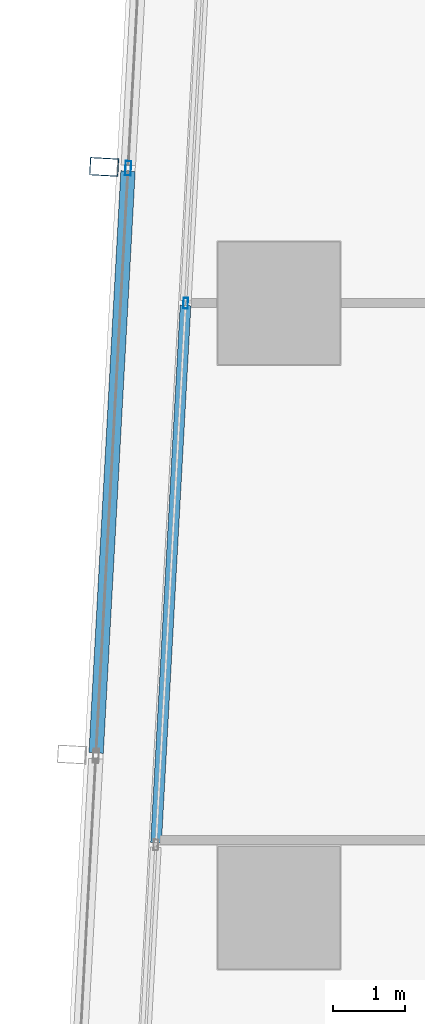
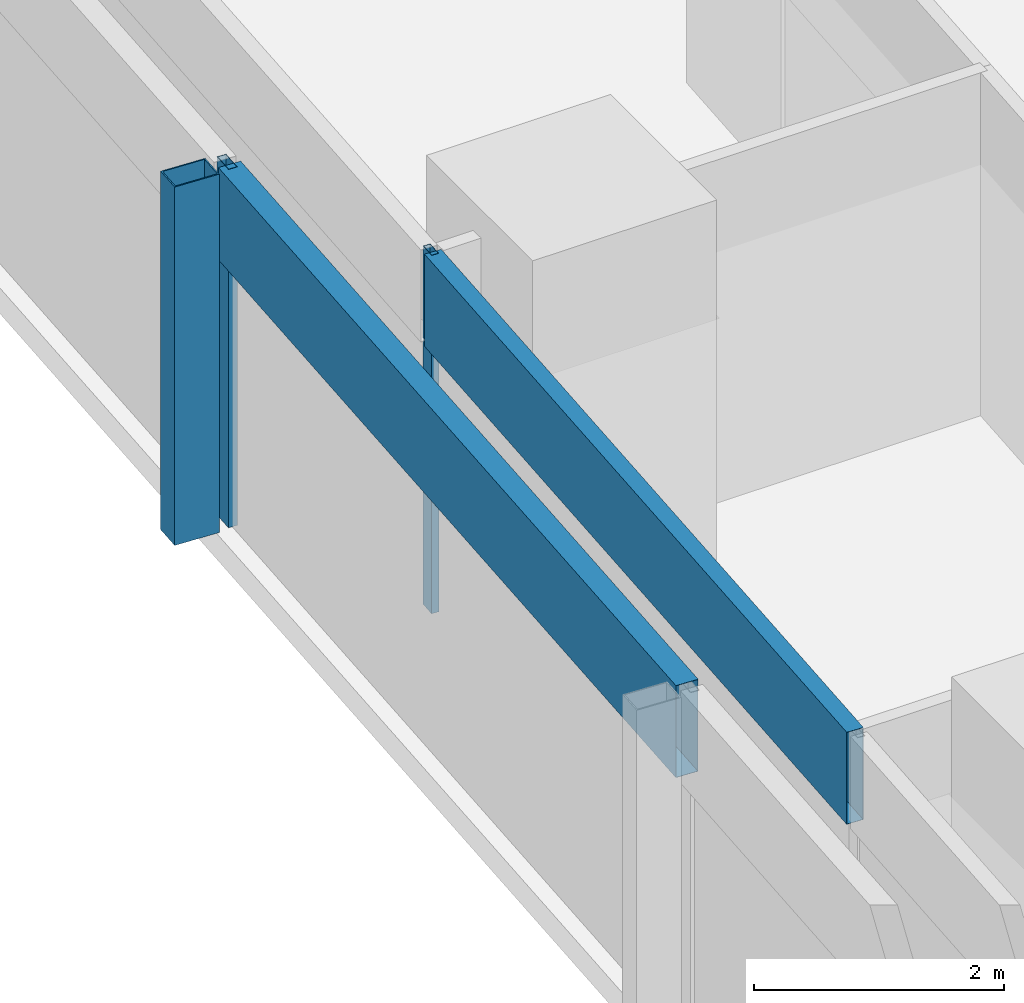
# One storey, part 14 of 40: 5 members, 2 elements without a shape of their own.
"""IFC4 building model written with IfcOpenShell, lengths in metres."""

import ifcopenshell
import ifcopenshell.guid

model = None  # the IFC model being written
_history = None  # IfcOwnerHistory: only IFC2X3 demands one
_inside = {}  # id of a spatial element -> (the spatial element, [elements in it])
_under = {}  # id of a project, library or spatial element -> (it, [spatial elements below it])
_declared = {}  # id of a project -> (the project, [libraries it declares])
_typed = {}  # id of a type object -> (the type object, [elements of that type])
_made_of = {}  # id of a material, layer set ... -> (it, [elements and type objects made of it])


def new_model(schema):
    """Start an empty IFC model of exactly this schema.

    Asked for "IFC4X3", IfcOpenShell would pick the latest addendum, in which some entities
    have other attributes; the version numbers below select the first issue.
    IFC2X3 requires an IfcOwnerHistory on every rooted entity: one is made here for all.
    """
    global model, _history
    if schema == "IFC4X3":
        model = ifcopenshell.file(schema_version=(4, 3, 0, 0))
    else:
        model = ifcopenshell.file(schema=schema)
    _inside.clear()
    _under.clear()
    _declared.clear()
    _typed.clear()
    _made_of.clear()
    _history = None
    if model.schema == "IFC2X3":
        org = make("IfcOrganization", Name="unknown")
        user = make(
            "IfcPersonAndOrganization",
            ThePerson=make("IfcPerson", FamilyName="unknown"),
            TheOrganization=org,
        )
        app = make(
            "IfcApplication",
            ApplicationDeveloper=org,
            Version="unknown",
            ApplicationFullName="unknown",
            ApplicationIdentifier="unknown",
        )
        _history = make(
            "IfcOwnerHistory",
            OwningUser=user,
            OwningApplication=app,
            ChangeAction="ADDED",
            CreationDate=0,
        )
    return model


def make(cls, **values):
    """One entity of the class cls with the attributes given. An attribute that is None is left unset."""
    return model.create_entity(
        cls, **{name: value for name, value in values.items() if value is not None}
    )


def rooted(cls, **values):
    """An entity with a GlobalId (a new one), such as an element, a storey or a relation."""
    return make(cls, GlobalId=ifcopenshell.guid.new(), OwnerHistory=_history, **values)


def si_unit(unit_type, name, prefix=None):
    """IfcSIUnit, for example si_unit("LENGTHUNIT", "METRE", prefix="MILLI")."""
    return make("IfcSIUnit", UnitType=unit_type, Prefix=prefix, Name=name)


def assignment(units):
    """IfcUnitAssignment: the units of a project."""
    return None if units is None else make("IfcUnitAssignment", Units=units)


def point(xyz):
    """IfcCartesianPoint."""
    return None if xyz is None else make("IfcCartesianPoint", Coordinates=xyz)


def direction(xyz):
    """IfcDirection."""
    return None if xyz is None else make("IfcDirection", DirectionRatios=xyz)


def frame(location, z_axis=None, x_axis=None):
    """IfcAxis2Placement3D, a coordinate frame: its origin and axes. An axis left out is left unset."""
    return make(
        "IfcAxis2Placement3D",
        Location=point(location),
        Axis=direction(z_axis),
        RefDirection=direction(x_axis),
    )


def frame_2d(location, x_axis=None):
    """IfcAxis2Placement2D, a coordinate frame in the plane: its origin and x axis."""
    return make(
        "IfcAxis2Placement2D", Location=point(location), RefDirection=direction(x_axis)
    )


def origin():
    """The frame at (0, 0, 0) with its axes left unset."""
    return frame((0.0, 0.0, 0.0))


def origin_2d():
    """The frame at (0, 0) in the plane with its x axis left unset."""
    return frame_2d((0.0, 0.0))


def place(relative_to, where):
    """IfcLocalPlacement: puts the frame where relative to a parent placement (None: the world)."""
    return make(
        "IfcLocalPlacement", PlacementRelTo=relative_to, RelativePlacement=where
    )


def context(
    kind, dimensions, precision=None, world=None, true_north=None, identifier=None
):
    """IfcGeometricRepresentationContext, for example the 3D "Model" context."""
    return make(
        "IfcGeometricRepresentationContext",
        ContextIdentifier=identifier,
        ContextType=kind,
        CoordinateSpaceDimension=dimensions,
        Precision=precision,
        WorldCoordinateSystem=world,
        TrueNorth=true_north,
    )


def subcontext(parent, identifier, kind, view, scale=None):
    """IfcGeometricRepresentationSubContext, for example "Body" below "Model"."""
    return make(
        "IfcGeometricRepresentationSubContext",
        ContextIdentifier=identifier,
        ContextType=kind,
        ParentContext=parent,
        TargetScale=scale,
        TargetView=view,
    )


def project(units=None, contexts=None):
    """IfcProject with its units and contexts."""
    return rooted(
        "IfcProject",
        Name="project",
        RepresentationContexts=contexts,
        UnitsInContext=assignment(units),
    )


def spatial(cls, under=None, at=None, **own):
    """A site, building, storey or space (cls), placed at a placement, below another one or the project."""
    s = rooted(cls, ObjectPlacement=at, **own)
    if under is not None:
        _under.setdefault(under.id(), (under, []))[1].append(s)
    return s


def profile(cls, at=None, kind="AREA", **sizes):
    """A parametric profile (cls). Its sizes go by their IFC names, for example OverallWidth=200.0."""
    return make(cls, ProfileType=kind, Position=at, **sizes)


def hollow_rectangle(**sizes):
    """IfcRectangleHollowProfileDef."""
    return profile("IfcRectangleHollowProfileDef", **sizes)


def extrude(swept, where, along, depth):
    """IfcExtrudedAreaSolid: the profile swept, set in the frame where, extruded along a direction by depth."""
    return make(
        "IfcExtrudedAreaSolid",
        SweptArea=swept,
        Position=where,
        ExtrudedDirection=direction(along),
        Depth=depth,
    )


def shape(context_of_items, identifier, shape_type, items):
    """IfcShapeRepresentation: the items that make up one representation, for example the "Body"."""
    return make(
        "IfcShapeRepresentation",
        ContextOfItems=context_of_items,
        RepresentationIdentifier=identifier,
        RepresentationType=shape_type,
        Items=items,
    )


def material(Name=None, Category=None):
    """IfcMaterial."""
    return make("IfcMaterial", Name=Name, Category=Category)


def material_profile(
    of_material, cross_section, Name=None, Category=None, Priority=None
):
    """IfcMaterialProfile: a cross section and its material."""
    return make(
        "IfcMaterialProfile",
        Name=Name,
        Material=of_material,
        Profile=cross_section,
        Priority=Priority,
        Category=Category,
    )


def profile_set(profiles, Name=None, composite=None):
    """IfcMaterialProfileSet."""
    return make(
        "IfcMaterialProfileSet",
        Name=Name,
        MaterialProfiles=profiles,
        CompositeProfile=composite,
    )


def made_of(thing, what):
    """Note that an element or type object is made of a material, layer set ...; save() writes the relation."""
    if what is not None:
        _made_of.setdefault(what.id(), (what, []))[1].append(thing)
    return thing


def type_object(cls, material=None, **own):
    """A type object (cls), such as IfcWallType, which elements share."""
    return made_of(rooted(cls, **own), material)


def element(
    cls,
    number,
    at=None,
    inside=None,
    cuts=None,
    type_object=None,
    material=None,
    context=None,
    identifier="Body",
    shape_type=None,
    held_by="IfcProductDefinitionShape",
    body=None,
    shapes=None,
    **own,
):
    """One element of the class cls, such as IfcWall. Its Tag is "e" and its number.

    at: its placement. inside: the storey or other place that contains it. cuts: it is an
    opening in that element (IfcRelVoidsElement). A single representation is given by context,
    identifier, shape_type and body (its items); several are given by shapes. held_by: the class
    of the entity that holds the representations. save() writes the other relations.
    """
    e = rooted(cls, Tag="e%d" % number, ObjectPlacement=at, **own)
    if body is not None:
        shapes = [shape(context, identifier, shape_type, body)]
    if shapes is not None:
        e.Representation = make(held_by, Representations=shapes)
    if inside is not None:
        _inside.setdefault(inside.id(), (inside, []))[1].append(e)
    if cuts is not None:
        rooted(
            "IfcRelVoidsElement", RelatingBuildingElement=cuts, RelatedOpeningElement=e
        )
    if type_object is not None:
        _typed.setdefault(type_object.id(), (type_object, []))[1].append(e)
    return made_of(e, material)


def aggregate(whole, parts):
    """IfcRelAggregates: a whole, such as a stair, and the parts it consists of."""
    return rooted("IfcRelAggregates", RelatingObject=whole, RelatedObjects=parts)


def save(model, path):
    """Write the relations noted so far, then the file.

    IfcRelAggregates (storeys below a building ...), IfcRelContainedInSpatialStructure (elements
    in a storey), IfcRelDefinesByType, IfcRelAssociatesMaterial and IfcRelDeclares: one each for
    every whole, place, type object, material and project.
    """
    for whole, parts in _under.values():
        aggregate(whole, parts)
    for where, things in _inside.values():
        rooted(
            "IfcRelContainedInSpatialStructure",
            RelatedElements=things,
            RelatingStructure=where,
        )
    for kind, things in _typed.values():
        rooted("IfcRelDefinesByType", RelatedObjects=things, RelatingType=kind)
    for what, things in _made_of.values():
        rooted("IfcRelAssociatesMaterial", RelatedObjects=things, RelatingMaterial=what)
    for by, libraries in _declared.values():
        rooted("IfcRelDeclares", RelatingContext=by, RelatedDefinitions=libraries)
    model.write(path)


model = new_model("IFC4")

# Units and contexts
model_context = context("Model", 3, precision=1e-05, world=origin(), true_north=direction((0.0, 1.0)))
body_context = subcontext(model_context, "Body", "Model", "MODEL_VIEW")
ifc_project = project(units=[si_unit("LENGTHUNIT", "METRE"), si_unit("AREAUNIT", "SQUARE_METRE"), si_unit("VOLUMEUNIT", "CUBIC_METRE"), si_unit("PLANEANGLEUNIT", "RADIAN"), si_unit("MASSUNIT", "GRAM", prefix="KILO")], contexts=[model_context])

# Site, building, storey
site_placement = place(None, origin())
site = spatial("IfcSite", under=ifc_project, at=site_placement, CompositionType="ELEMENT")
building_placement = place(site_placement, origin())
building = spatial("IfcBuilding", under=site, at=building_placement, Name="Rekha Terrace Tower", CompositionType="ELEMENT")
storey_placement = place(building_placement, frame((0.0, 0.0, 132.800048828125)))
storey = spatial("IfcBuildingStorey", under=building, at=storey_placement, Name="L33", CompositionType="ELEMENT", Elevation=132.800048828125)

# Curtain wall, member
ifc_material_1 = material(Name="Aluminium framing", Category="aluminium")
curtain_wall_type_1 = type_object("IfcCurtainWallType", Name="CW2 double skin outer glazing", PredefinedType="USERDEFINED", material=ifc_material_1)
curtain_wall_1_placement = place(storey_placement, origin())
curtain_wall_1 = element("IfcCurtainWall", 1, at=curtain_wall_1_placement, inside=storey, type_object=curtain_wall_type_1, Name="CW2 double skin outer glazing", ObjectType="DOUBLE SKIN OUTER GLAZING", PredefinedType="USERDEFINED")
ifc_material_2 = material(Name="Steel S355 with fluorocarbon finish", Category="steel")
ifc_material_profile_1 = material_profile(ifc_material_2, hollow_rectangle(XDim=0.25, YDim=0.39990234375, WallThickness=0.012451171875, at=origin_2d()), Name="RHS400x250x12.5")
ifc_profile_set_1 = profile_set([ifc_material_profile_1], Name="Steel S355 with fluorocarbon finish")
member_type_1 = type_object("IfcMemberType", Name="BL1 facade blade RHS 400 x 250", PredefinedType="USERDEFINED", material=ifc_profile_set_1)
member_1_placement = place(storey_placement, frame((5.969482421875, 52.29638671875, 0.0), z_axis=(0.0, 0.0, 1.0), x_axis=(-0.054742798353, -0.998500488747, 0.0)))
member_1 = element("IfcMember", 2, at=member_1_placement, type_object=member_type_1, Name="Facade blade", ObjectType="FACADE BLADE", PredefinedType="USERDEFINED", context=body_context, shape_type="SweptSolid", body=[
    extrude(hollow_rectangle(XDim=0.25, YDim=0.39990234375, WallThickness=0.012451171875, at=origin_2d()), origin(), (0.0, 0.0, 1.0), 3.5),
])

# Curtain wall, members
curtain_wall_type_2 = type_object("IfcCurtainWallType", Name="CW1 double skin inner glazing", PredefinedType="USERDEFINED", material=ifc_material_1)
curtain_wall_2_placement = place(storey_placement, origin())
curtain_wall_2 = element("IfcCurtainWall", 3, at=curtain_wall_2_placement, inside=storey, type_object=curtain_wall_type_2, Name="CW1 double skin inner glazing", ObjectType="DOUBLE SKIN INNER GLAZING", PredefinedType="USERDEFINED")
ifc_material_3 = material(Name="Aluminium mullion section", Category="aluminium")
ifc_material_profile_2 = material_profile(ifc_material_3, hollow_rectangle(XDim=0.06494140625, YDim=0.14990234375, WallThickness=0.00390625, at=origin_2d()), Name="AL RHS 65x150")
ifc_profile_set_2 = profile_set([ifc_material_profile_2], Name="Aluminium mullion section")
member_type_2 = type_object("IfcMemberType", Name="CW1 mullion RHS 65 x 150", PredefinedType="MULLION", material=ifc_profile_set_2)
member_2_placement = place(storey_placement, frame((7.1025390625, 50.40234375, 0.0), z_axis=(0.0, 0.0, 1.0), x_axis=(0.99850051318, -0.054742352707, 0.0)))
member_2 = element("IfcMember", 4, at=member_2_placement, type_object=member_type_2, Name="CW1 mullion 2", PredefinedType="MULLION", context=body_context, shape_type="SweptSolid", body=[
    extrude(hollow_rectangle(XDim=0.06494140625, YDim=0.14990234375, WallThickness=0.00390625, at=origin_2d()), origin(), (0.0, 0.0, 1.0), 3.5),
])
ifc_material_4 = material(Name="Insulated aluminium spandrel box", Category="aluminium")
ifc_material_profile_3 = material_profile(ifc_material_4, hollow_rectangle(XDim=0.14990234375, YDim=0.89990234375, WallThickness=0.0029296875, at=origin_2d()), Name="AL SPANDREL BOX 150x900")
ifc_profile_set_3 = profile_set([ifc_material_profile_3], Name="Insulated aluminium spandrel box")
member_type_3 = type_object("IfcMemberType", Name="CW1 spandrel transom 150 x 900", PredefinedType="USERDEFINED", material=ifc_profile_set_3)
member_3_placement = place(storey_placement, frame((7.100830078125, 50.369873046875, 3.050048828125), z_axis=(-0.054764629515, -0.998499291614, 0.0), x_axis=(0.998499291614, -0.054764629515, 0.0)))
member_3 = element("IfcMember", 5, at=member_3_placement, type_object=member_type_3, Name="CW1 spandrel transom 2", ObjectType="TRANSOM", PredefinedType="USERDEFINED", context=body_context, shape_type="SweptSolid", body=[
    extrude(hollow_rectangle(XDim=0.14990234375, YDim=0.89990234375, WallThickness=0.0029296875, at=origin_2d()), origin(), (0.0, 0.0, 1.0), 7.47607421875),
])
aggregate(curtain_wall_2, [member_2, member_3])

# Member
ifc_material_profile_4 = material_profile(ifc_material_3, hollow_rectangle(XDim=0.080078125, YDim=0.199951171875, WallThickness=0.00390625, at=origin_2d()), Name="AL RHS 80x200")
ifc_profile_set_4 = profile_set([ifc_material_profile_4], Name="Aluminium mullion section")
member_type_4 = type_object("IfcMemberType", Name="CW2 mullion RHS 80 x 200", PredefinedType="MULLION", material=ifc_profile_set_4)
member_4_placement = place(storey_placement, frame((6.303955078125, 52.278076171875, 0.0), z_axis=(0.0, 0.0, 1.0), x_axis=(0.99850051318, -0.054742352707, 0.0)))
member_4 = element("IfcMember", 6, at=member_4_placement, type_object=member_type_4, Name="CW2 mullion 2", PredefinedType="MULLION", context=body_context, shape_type="SweptSolid", body=[
    extrude(hollow_rectangle(XDim=0.080078125, YDim=0.199951171875, WallThickness=0.00390625, at=origin_2d()), origin(), (0.0, 0.0, 1.0), 3.5),
])

ifc_material_profile_5 = material_profile(ifc_material_4, hollow_rectangle(XDim=0.199951171875, YDim=0.89990234375, WallThickness=0.0029296875, at=origin_2d()), Name="AL SPANDREL BOX 200x900")
ifc_profile_set_5 = profile_set([ifc_material_profile_5], Name="Insulated aluminium spandrel box")
member_type_5 = type_object("IfcMemberType", Name="CW2 spandrel transom 200 x 900", PredefinedType="USERDEFINED", material=ifc_profile_set_5)
member_5_placement = place(storey_placement, frame((6.3017578125, 52.23828125, 3.050048828125), z_axis=(-0.054735499102, -0.998500888902, 0.0), x_axis=(0.998500888902, -0.054735499102, 0.0)))
member_5 = element("IfcMember", 7, at=member_5_placement, type_object=member_type_5, Name="CW2 spandrel transom 2", ObjectType="TRANSOM", PredefinedType="USERDEFINED", context=body_context, shape_type="SweptSolid", body=[
    extrude(hollow_rectangle(XDim=0.199951171875, YDim=0.89990234375, WallThickness=0.0029296875, at=origin_2d()), origin(), (0.0, 0.0, 1.0), 8.10009765625),
])

aggregate(curtain_wall_1, [member_4, member_5, member_1])

save(model, "model.ifc")
